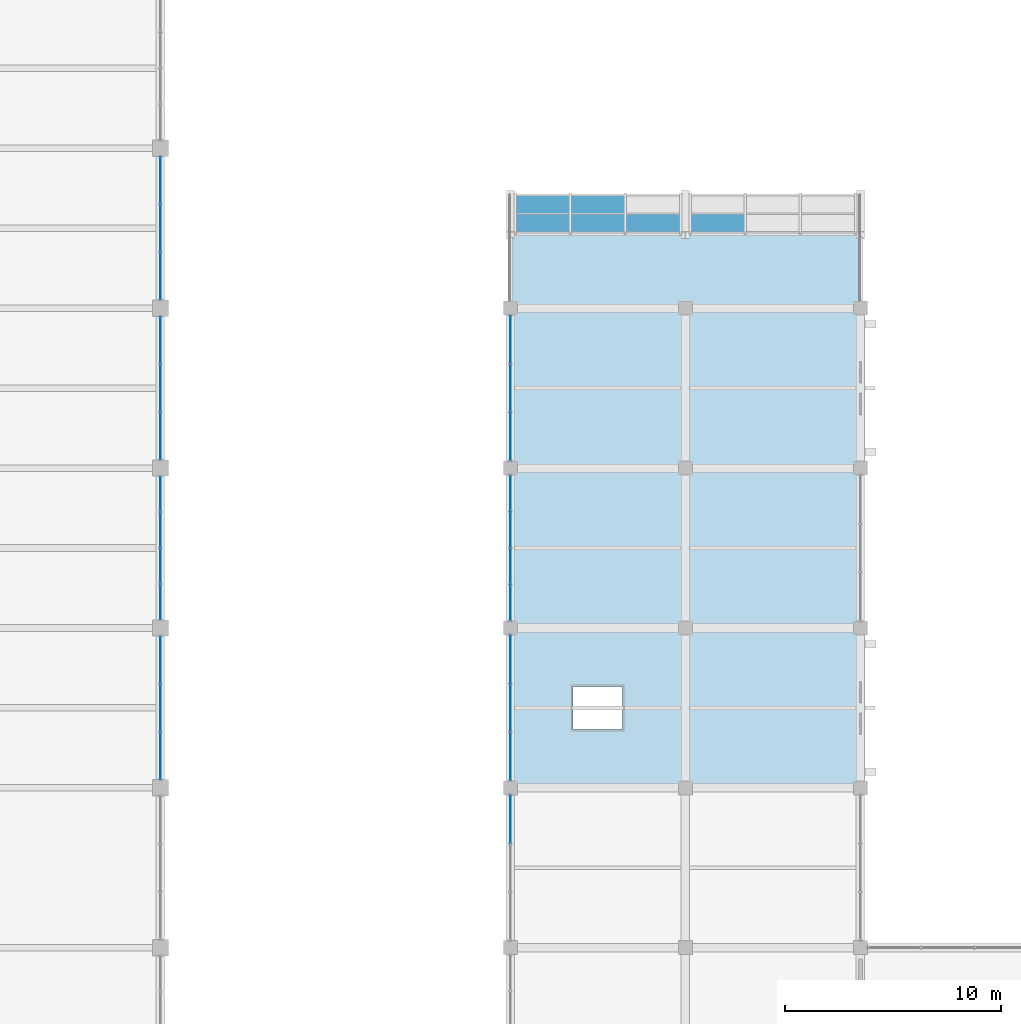
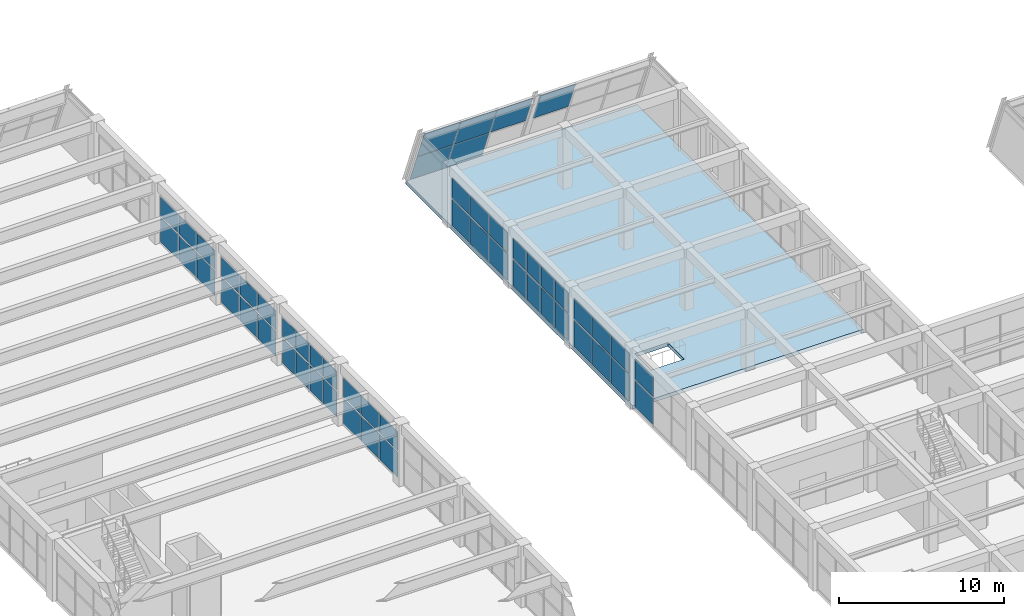
# One storey, part 138 of 161: 54 plates, 1 slab, 10 elements without a shape of their own.
"""IFC4 building model written with IfcOpenShell, lengths in metres."""

from ifc_helpers import new_model, si_unit, direction, frame, origin, origin_2d, place, context, subcontext, project, spatial, polyline, rectangle, outline, extrude, material, layer, layer_set, type_object, element, aggregate, save


model = new_model("IFC4")

# Units and contexts
model_context = context("Model", 3, precision=1e-05, world=origin(), true_north=direction((0.0, 1.0)))
body_context = subcontext(model_context, "Body", "Model", "MODEL_VIEW")
ifc_project = project(units=[si_unit("LENGTHUNIT", "METRE"), si_unit("AREAUNIT", "SQUARE_METRE"), si_unit("VOLUMEUNIT", "CUBIC_METRE"), si_unit("PLANEANGLEUNIT", "RADIAN"), si_unit("MASSUNIT", "GRAM", prefix="KILO")], contexts=[model_context])

# Site, building, storey
site_placement = place(None, origin())
site = spatial("IfcSite", under=ifc_project, at=site_placement, CompositionType="ELEMENT")
building_placement = place(site_placement, origin())
building = spatial("IfcBuilding", under=site, at=building_placement, Name="Cimatlan Art Gallery", CompositionType="ELEMENT")
storey_placement = place(building_placement, frame((0.0, 0.0, 5.39990234375)))
storey = spatial("IfcBuildingStorey", under=building, at=storey_placement, Name="L01", CompositionType="ELEMENT", Elevation=5.39990234375)

# Curtain wall, plates
ifc_material_1 = material(Name="Anodised bronze unitised curtain wall")
curtain_wall_type_1 = type_object("IfcCurtainWallType", Name="CW-V-06642X03607-B4", PredefinedType="NOTDEFINED", material=ifc_material_1)
curtain_wall_1_placement = place(storey_placement, origin())
curtain_wall_1 = element("IfcCurtainWall", 1, at=curtain_wall_1_placement, inside=storey, type_object=curtain_wall_type_1, Name="CW-L01-11-10-E", PredefinedType="NOTDEFINED")
ifc_material_2 = material(Name="Low-E insulated double glazing", Category="glass")
ifc_layer_1 = layer(ifc_material_2, 0.028076171875)
ifc_layer_set_1 = layer_set([ifc_layer_1], Name="Low-E insulated double glazing")
plate_type_1 = type_object("IfcPlateType", Name="PNL-1603X1403", PredefinedType="CURTAIN_PANEL", material=ifc_layer_set_1)
plate_1_placement = place(storey_placement, frame((99.199951171875, 81.890869140625, 2.08203125), z_axis=(0.0, 0.0, 1.0), x_axis=(0.0, -1.0, 0.0)))
plate_1 = element("IfcPlate", 2, at=plate_1_placement, type_object=plate_type_1, Name="CW-L01-11-10-E-P12", PredefinedType="CURTAIN_PANEL", context=body_context, shape_type="SweptSolid", body=[
    extrude(rectangle(XDim=1.60302734375, YDim=0.028076171875, at=origin_2d()), origin(), (0.0, 0.0, 1.0), 1.403076171875),
])
plate_2_placement = place(storey_placement, frame((99.199951171875, 80.230224609375, 2.08203125), z_axis=(0.0, 0.0, 1.0), x_axis=(0.0, -1.0, 0.0)))
plate_2 = element("IfcPlate", 3, at=plate_2_placement, type_object=plate_type_1, Name="CW-L01-11-10-E-P22", PredefinedType="CURTAIN_PANEL", context=body_context, shape_type="SweptSolid", body=[
    extrude(rectangle(XDim=1.60302734375, YDim=0.028076171875, at=origin_2d()), origin(), (0.0, 0.0, 1.0), 1.403076171875),
])
plate_3_placement = place(storey_placement, frame((99.199951171875, 78.56982421875, 2.08203125), z_axis=(0.0, 0.0, 1.0), x_axis=(0.0, -1.0, 0.0)))
plate_3 = element("IfcPlate", 4, at=plate_3_placement, type_object=plate_type_1, Name="CW-L01-11-10-E-P32", PredefinedType="CURTAIN_PANEL", context=body_context, shape_type="SweptSolid", body=[
    extrude(rectangle(XDim=1.60302734375, YDim=0.028076171875, at=origin_2d()), origin(), (0.0, 0.0, 1.0), 1.403076171875),
])
plate_4_placement = place(storey_placement, frame((99.199951171875, 76.9091796875, 2.08203125), z_axis=(0.0, 0.0, 1.0), x_axis=(0.0, -1.0, 0.0)))
plate_4 = element("IfcPlate", 5, at=plate_4_placement, type_object=plate_type_1, Name="CW-L01-11-10-E-P42", PredefinedType="CURTAIN_PANEL", context=body_context, shape_type="SweptSolid", body=[
    extrude(rectangle(XDim=1.60302734375, YDim=0.028076171875, at=origin_2d()), origin(), (0.0, 0.0, 1.0), 1.403076171875),
])
ifc_layer_2 = layer(ifc_material_2, 0.028076171875)
ifc_layer_set_2 = layer_set([ifc_layer_2], Name="Low-E insulated double glazing")
plate_type_2 = type_object("IfcPlateType", Name="PNL-1603X1836", PredefinedType="CURTAIN_PANEL", material=ifc_layer_set_2)
plate_5_placement = place(storey_placement, frame((99.199951171875, 81.890869140625, 0.1220703125), z_axis=(0.0, 0.0, 1.0), x_axis=(0.0, -1.0, 0.0)))
plate_5 = element("IfcPlate", 6, at=plate_5_placement, type_object=plate_type_2, Name="CW-L01-11-10-E-P11", PredefinedType="CURTAIN_PANEL", context=body_context, shape_type="SweptSolid", body=[
    extrude(rectangle(XDim=1.60302734375, YDim=0.028076171875, at=origin_2d()), origin(), (0.0, 0.0, 1.0), 1.8359375),
])
plate_6_placement = place(storey_placement, frame((99.199951171875, 80.230224609375, 0.1220703125), z_axis=(0.0, 0.0, 1.0), x_axis=(0.0, -1.0, 0.0)))
plate_6 = element("IfcPlate", 7, at=plate_6_placement, type_object=plate_type_2, Name="CW-L01-11-10-E-P21", PredefinedType="CURTAIN_PANEL", context=body_context, shape_type="SweptSolid", body=[
    extrude(rectangle(XDim=1.60302734375, YDim=0.028076171875, at=origin_2d()), origin(), (0.0, 0.0, 1.0), 1.8359375),
])
plate_7_placement = place(storey_placement, frame((99.199951171875, 78.56982421875, 0.1220703125), z_axis=(0.0, 0.0, 1.0), x_axis=(0.0, -1.0, 0.0)))
plate_7 = element("IfcPlate", 8, at=plate_7_placement, type_object=plate_type_2, Name="CW-L01-11-10-E-P31", PredefinedType="CURTAIN_PANEL", context=body_context, shape_type="SweptSolid", body=[
    extrude(rectangle(XDim=1.60302734375, YDim=0.028076171875, at=origin_2d()), origin(), (0.0, 0.0, 1.0), 1.8359375),
])
plate_8_placement = place(storey_placement, frame((99.199951171875, 76.9091796875, 0.1220703125), z_axis=(0.0, 0.0, 1.0), x_axis=(0.0, -1.0, 0.0)))
plate_8 = element("IfcPlate", 9, at=plate_8_placement, type_object=plate_type_2, Name="CW-L01-11-10-E-P41", PredefinedType="CURTAIN_PANEL", context=body_context, shape_type="SweptSolid", body=[
    extrude(rectangle(XDim=1.60302734375, YDim=0.028076171875, at=origin_2d()), origin(), (0.0, 0.0, 1.0), 1.8359375),
])
aggregate(curtain_wall_1, [plate_5, plate_1, plate_6, plate_2, plate_7, plate_3, plate_8, plate_4])

curtain_wall_type_2 = type_object("IfcCurtainWallType", Name="CW-V-06742X03785-B4", PredefinedType="NOTDEFINED", material=ifc_material_1)
curtain_wall_2_placement = place(storey_placement, origin())
curtain_wall_2 = element("IfcCurtainWall", 10, at=curtain_wall_2_placement, inside=storey, type_object=curtain_wall_type_2, Name="CW-L01-14-10-W", PredefinedType="NOTDEFINED")
ifc_layer_3 = layer(ifc_material_2, 0.028076171875)
ifc_layer_set_3 = layer_set([ifc_layer_3], Name="Low-E insulated double glazing")
plate_type_3 = type_object("IfcPlateType", Name="PNL-1627X1481", PredefinedType="CURTAIN_PANEL", material=ifc_layer_set_3)
plate_9_placement = place(storey_placement, frame((115.39990234375, 76.871826171875, 2.181884765625), z_axis=(0.0, 0.0, 1.0), x_axis=(0.0, 1.0, 0.0)))
plate_9 = element("IfcPlate", 11, at=plate_9_placement, type_object=plate_type_3, Name="CW-L01-14-10-W-P12", PredefinedType="CURTAIN_PANEL", context=body_context, shape_type="SweptSolid", body=[
    extrude(rectangle(XDim=1.626953125, YDim=0.028076171875, at=origin_2d()), origin(), (0.0, 0.0, 1.0), 1.48095703125),
])
plate_10_placement = place(storey_placement, frame((115.39990234375, 78.55712890625, 2.181884765625), z_axis=(0.0, 0.0, 1.0), x_axis=(0.0, 1.0, 0.0)))
plate_10 = element("IfcPlate", 12, at=plate_10_placement, type_object=plate_type_3, Name="CW-L01-14-10-W-P22", PredefinedType="CURTAIN_PANEL", context=body_context, shape_type="SweptSolid", body=[
    extrude(rectangle(XDim=1.626953125, YDim=0.028076171875, at=origin_2d()), origin(), (0.0, 0.0, 1.0), 1.48095703125),
])
plate_11_placement = place(storey_placement, frame((115.39990234375, 80.24267578125, 2.181884765625), z_axis=(0.0, 0.0, 1.0), x_axis=(0.0, 1.0, 0.0)))
plate_11 = element("IfcPlate", 13, at=plate_11_placement, type_object=plate_type_3, Name="CW-L01-14-10-W-P32", PredefinedType="CURTAIN_PANEL", context=body_context, shape_type="SweptSolid", body=[
    extrude(rectangle(XDim=1.626953125, YDim=0.028076171875, at=origin_2d()), origin(), (0.0, 0.0, 1.0), 1.48095703125),
])
plate_12_placement = place(storey_placement, frame((115.39990234375, 81.92822265625, 2.181884765625), z_axis=(0.0, 0.0, 1.0), x_axis=(0.0, 1.0, 0.0)))
plate_12 = element("IfcPlate", 14, at=plate_12_placement, type_object=plate_type_3, Name="CW-L01-14-10-W-P42", PredefinedType="CURTAIN_PANEL", context=body_context, shape_type="SweptSolid", body=[
    extrude(rectangle(XDim=1.626953125, YDim=0.028076171875, at=origin_2d()), origin(), (0.0, 0.0, 1.0), 1.48095703125),
])
ifc_layer_4 = layer(ifc_material_2, 0.028076171875)
ifc_layer_set_4 = layer_set([ifc_layer_4], Name="Low-E insulated double glazing")
plate_type_4 = type_object("IfcPlateType", Name="PNL-1627X1936", PredefinedType="CURTAIN_PANEL", material=ifc_layer_set_4)
plate_13_placement = place(storey_placement, frame((115.39990234375, 76.871826171875, 0.121826171875), z_axis=(0.0, 0.0, 1.0), x_axis=(0.0, 1.0, 0.0)))
plate_13 = element("IfcPlate", 15, at=plate_13_placement, type_object=plate_type_4, Name="CW-L01-14-10-W-P11", PredefinedType="CURTAIN_PANEL", context=body_context, shape_type="SweptSolid", body=[
    extrude(rectangle(XDim=1.626953125, YDim=0.028076171875, at=origin_2d()), origin(), (0.0, 0.0, 1.0), 1.93603515625),
])
plate_14_placement = place(storey_placement, frame((115.39990234375, 78.55712890625, 0.121826171875), z_axis=(0.0, 0.0, 1.0), x_axis=(0.0, 1.0, 0.0)))
plate_14 = element("IfcPlate", 16, at=plate_14_placement, type_object=plate_type_4, Name="CW-L01-14-10-W-P21", PredefinedType="CURTAIN_PANEL", context=body_context, shape_type="SweptSolid", body=[
    extrude(rectangle(XDim=1.626953125, YDim=0.028076171875, at=origin_2d()), origin(), (0.0, 0.0, 1.0), 1.93603515625),
])
plate_15_placement = place(storey_placement, frame((115.39990234375, 80.24267578125, 0.121826171875), z_axis=(0.0, 0.0, 1.0), x_axis=(0.0, 1.0, 0.0)))
plate_15 = element("IfcPlate", 17, at=plate_15_placement, type_object=plate_type_4, Name="CW-L01-14-10-W-P31", PredefinedType="CURTAIN_PANEL", context=body_context, shape_type="SweptSolid", body=[
    extrude(rectangle(XDim=1.626953125, YDim=0.028076171875, at=origin_2d()), origin(), (0.0, 0.0, 1.0), 1.93603515625),
])
plate_16_placement = place(storey_placement, frame((115.39990234375, 81.92822265625, 0.121826171875), z_axis=(0.0, 0.0, 1.0), x_axis=(0.0, 1.0, 0.0)))
plate_16 = element("IfcPlate", 18, at=plate_16_placement, type_object=plate_type_4, Name="CW-L01-14-10-W-P41", PredefinedType="CURTAIN_PANEL", context=body_context, shape_type="SweptSolid", body=[
    extrude(rectangle(XDim=1.626953125, YDim=0.028076171875, at=origin_2d()), origin(), (0.0, 0.0, 1.0), 1.93603515625),
])
aggregate(curtain_wall_2, [plate_13, plate_9, plate_14, plate_10, plate_15, plate_11, plate_16, plate_12])

curtain_wall_type_3 = type_object("IfcCurtainWallType", Name="CW-V-06642X03577-B3", PredefinedType="NOTDEFINED", material=ifc_material_1)
curtain_wall_3_placement = place(storey_placement, origin())
curtain_wall_3 = element("IfcCurtainWall", 19, at=curtain_wall_3_placement, inside=storey, type_object=curtain_wall_type_3, Name="CW-L01-11-12-E", PredefinedType="NOTDEFINED")
ifc_layer_5 = layer(ifc_material_2, 0.028076171875)
ifc_layer_set_5 = layer_set([ifc_layer_5], Name="Low-E insulated double glazing")
plate_type_5 = type_object("IfcPlateType", Name="PNL-2156X1390", PredefinedType="CURTAIN_PANEL", material=ifc_layer_set_5)
plate_17_placement = place(storey_placement, frame((99.199951171875, 96.4140625, 2.0654296875), z_axis=(0.0, 0.0, 1.0), x_axis=(0.0, -1.0, 0.0)))
plate_17 = element("IfcPlate", 20, at=plate_17_placement, type_object=plate_type_5, Name="CW-L01-11-12-E-P12", PredefinedType="CURTAIN_PANEL", context=body_context, shape_type="SweptSolid", body=[
    extrude(rectangle(XDim=2.156005859375, YDim=0.028076171875, at=origin_2d()), origin(), (0.0, 0.0, 1.0), 1.389892578125),
])
plate_18_placement = place(storey_placement, frame((99.199951171875, 94.199951171875, 2.0654296875), z_axis=(0.0, 0.0, 1.0), x_axis=(0.0, -1.0, 0.0)))
plate_18 = element("IfcPlate", 21, at=plate_18_placement, type_object=plate_type_5, Name="CW-L01-11-12-E-P22", PredefinedType="CURTAIN_PANEL", context=body_context, shape_type="SweptSolid", body=[
    extrude(rectangle(XDim=2.156005859375, YDim=0.028076171875, at=origin_2d()), origin(), (0.0, 0.0, 1.0), 1.389892578125),
])
plate_19_placement = place(storey_placement, frame((99.199951171875, 91.986083984375, 2.0654296875), z_axis=(0.0, 0.0, 1.0), x_axis=(0.0, -1.0, 0.0)))
plate_19 = element("IfcPlate", 22, at=plate_19_placement, type_object=plate_type_5, Name="CW-L01-11-12-E-P32", PredefinedType="CURTAIN_PANEL", context=body_context, shape_type="SweptSolid", body=[
    extrude(rectangle(XDim=2.156005859375, YDim=0.028076171875, at=origin_2d()), origin(), (0.0, 0.0, 1.0), 1.389892578125),
])

curtain_wall_type_4 = type_object("IfcCurtainWallType", Name="CW-V-06642X03592-B3", PredefinedType="NOTDEFINED", material=ifc_material_1)
curtain_wall_4_placement = place(storey_placement, origin())
curtain_wall_4 = element("IfcCurtainWall", 23, at=curtain_wall_4_placement, inside=storey, type_object=curtain_wall_type_4, Name="CW-L01-11-11-E", PredefinedType="NOTDEFINED")
ifc_layer_6 = layer(ifc_material_2, 0.028076171875)
ifc_layer_set_6 = layer_set([ifc_layer_6], Name="Low-E insulated double glazing")
plate_type_6 = type_object("IfcPlateType", Name="PNL-2156X1397", PredefinedType="CURTAIN_PANEL", material=ifc_layer_set_6)
plate_20_placement = place(storey_placement, frame((99.199951171875, 89.013916015625, 2.0732421875), z_axis=(0.0, 0.0, 1.0), x_axis=(0.0, -1.0, 0.0)))
plate_20 = element("IfcPlate", 24, at=plate_20_placement, type_object=plate_type_6, Name="CW-L01-11-11-E-P12", PredefinedType="CURTAIN_PANEL", context=body_context, shape_type="SweptSolid", body=[
    extrude(rectangle(XDim=2.156005859375, YDim=0.028076171875, at=origin_2d()), origin(), (0.0, 0.0, 1.0), 1.39697265625),
])
plate_21_placement = place(storey_placement, frame((99.199951171875, 86.800048828125, 2.0732421875), z_axis=(0.0, 0.0, 1.0), x_axis=(0.0, -1.0, 0.0)))
plate_21 = element("IfcPlate", 25, at=plate_21_placement, type_object=plate_type_6, Name="CW-L01-11-11-E-P22", PredefinedType="CURTAIN_PANEL", context=body_context, shape_type="SweptSolid", body=[
    extrude(rectangle(XDim=2.156005859375, YDim=0.028076171875, at=origin_2d()), origin(), (0.0, 0.0, 1.0), 1.39697265625),
])
plate_22_placement = place(storey_placement, frame((99.199951171875, 84.5859375, 2.0732421875), z_axis=(0.0, 0.0, 1.0), x_axis=(0.0, -1.0, 0.0)))
plate_22 = element("IfcPlate", 26, at=plate_22_placement, type_object=plate_type_6, Name="CW-L01-11-11-E-P32", PredefinedType="CURTAIN_PANEL", context=body_context, shape_type="SweptSolid", body=[
    extrude(rectangle(XDim=2.156005859375, YDim=0.028076171875, at=origin_2d()), origin(), (0.0, 0.0, 1.0), 1.39697265625),
])

curtain_wall_type_5 = type_object("IfcCurtainWallType", Name="CW-V-06642X03622-B3", PredefinedType="NOTDEFINED", material=ifc_material_1)
curtain_wall_5_placement = place(storey_placement, origin())
curtain_wall_5 = element("IfcCurtainWall", 27, at=curtain_wall_5_placement, inside=storey, type_object=curtain_wall_type_5, Name="CW-L01-11-09-E", PredefinedType="NOTDEFINED")
ifc_layer_7 = layer(ifc_material_2, 0.028076171875)
ifc_layer_set_7 = layer_set([ifc_layer_7], Name="Low-E insulated double glazing")
plate_type_7 = type_object("IfcPlateType", Name="PNL-2156X1410", PredefinedType="CURTAIN_PANEL", material=ifc_layer_set_7)
plate_23_placement = place(storey_placement, frame((99.199951171875, 74.214111328125, 2.09033203125), z_axis=(0.0, 0.0, 1.0), x_axis=(0.0, -1.0, 0.0)))
plate_23 = element("IfcPlate", 28, at=plate_23_placement, type_object=plate_type_7, Name="CW-L01-11-09-E-P12", PredefinedType="CURTAIN_PANEL", context=body_context, shape_type="SweptSolid", body=[
    extrude(rectangle(XDim=2.156005859375, YDim=0.028076171875, at=origin_2d()), origin(), (0.0, 0.0, 1.0), 1.409912109375),
])
plate_24_placement = place(storey_placement, frame((99.199951171875, 72.0, 2.09033203125), z_axis=(0.0, 0.0, 1.0), x_axis=(0.0, -1.0, 0.0)))
plate_24 = element("IfcPlate", 29, at=plate_24_placement, type_object=plate_type_7, Name="CW-L01-11-09-E-P22", PredefinedType="CURTAIN_PANEL", context=body_context, shape_type="SweptSolid", body=[
    extrude(rectangle(XDim=2.156005859375, YDim=0.028076171875, at=origin_2d()), origin(), (0.0, 0.0, 1.0), 1.409912109375),
])
plate_25_placement = place(storey_placement, frame((99.199951171875, 69.785888671875, 2.09033203125), z_axis=(0.0, 0.0, 1.0), x_axis=(0.0, -1.0, 0.0)))
plate_25 = element("IfcPlate", 30, at=plate_25_placement, type_object=plate_type_7, Name="CW-L01-11-09-E-P32", PredefinedType="CURTAIN_PANEL", context=body_context, shape_type="SweptSolid", body=[
    extrude(rectangle(XDim=2.156005859375, YDim=0.028076171875, at=origin_2d()), origin(), (0.0, 0.0, 1.0), 1.409912109375),
])

# Plate
ifc_layer_8 = layer(ifc_material_2, 0.028076171875)
ifc_layer_set_8 = layer_set([ifc_layer_8], Name="Low-E insulated double glazing")
plate_type_8 = type_object("IfcPlateType", Name="PNL-2156X1819", PredefinedType="CURTAIN_PANEL", material=ifc_layer_set_8)
plate_26_placement = place(storey_placement, frame((99.199951171875, 96.4140625, 0.1220703125), z_axis=(0.0, 0.0, 1.0), x_axis=(0.0, -1.0, 0.0)))
plate_26 = element("IfcPlate", 31, at=plate_26_placement, type_object=plate_type_8, Name="CW-L01-11-12-E-P11", PredefinedType="CURTAIN_PANEL", context=body_context, shape_type="SweptSolid", body=[
    extrude(rectangle(XDim=2.156005859375, YDim=0.028076171875, at=origin_2d()), origin(), (0.0, 0.0, 1.0), 1.819091796875),
])

plate_27_placement = place(storey_placement, frame((99.199951171875, 94.199951171875, 0.1220703125), z_axis=(0.0, 0.0, 1.0), x_axis=(0.0, -1.0, 0.0)))
plate_27 = element("IfcPlate", 32, at=plate_27_placement, type_object=plate_type_8, Name="CW-L01-11-12-E-P21", PredefinedType="CURTAIN_PANEL", context=body_context, shape_type="SweptSolid", body=[
    extrude(rectangle(XDim=2.156005859375, YDim=0.028076171875, at=origin_2d()), origin(), (0.0, 0.0, 1.0), 1.819091796875),
])

plate_28_placement = place(storey_placement, frame((99.199951171875, 91.986083984375, 0.1220703125), z_axis=(0.0, 0.0, 1.0), x_axis=(0.0, -1.0, 0.0)))
plate_28 = element("IfcPlate", 33, at=plate_28_placement, type_object=plate_type_8, Name="CW-L01-11-12-E-P31", PredefinedType="CURTAIN_PANEL", context=body_context, shape_type="SweptSolid", body=[
    extrude(rectangle(XDim=2.156005859375, YDim=0.028076171875, at=origin_2d()), origin(), (0.0, 0.0, 1.0), 1.819091796875),
])

aggregate(curtain_wall_3, [plate_26, plate_17, plate_27, plate_18, plate_28, plate_19])

ifc_layer_9 = layer(ifc_material_2, 0.028076171875)
ifc_layer_set_9 = layer_set([ifc_layer_9], Name="Low-E insulated double glazing")
plate_type_9 = type_object("IfcPlateType", Name="PNL-2156X1827", PredefinedType="CURTAIN_PANEL", material=ifc_layer_set_9)
plate_29_placement = place(storey_placement, frame((99.199951171875, 89.013916015625, 0.12255859375), z_axis=(0.0, 0.0, 1.0), x_axis=(0.0, -1.0, 0.0)))
plate_29 = element("IfcPlate", 34, at=plate_29_placement, type_object=plate_type_9, Name="CW-L01-11-11-E-P11", PredefinedType="CURTAIN_PANEL", context=body_context, shape_type="SweptSolid", body=[
    extrude(rectangle(XDim=2.156005859375, YDim=0.028076171875, at=origin_2d()), origin(), (0.0, 0.0, 1.0), 1.826904296875),
])

plate_30_placement = place(storey_placement, frame((99.199951171875, 86.800048828125, 0.12255859375), z_axis=(0.0, 0.0, 1.0), x_axis=(0.0, -1.0, 0.0)))
plate_30 = element("IfcPlate", 35, at=plate_30_placement, type_object=plate_type_9, Name="CW-L01-11-11-E-P21", PredefinedType="CURTAIN_PANEL", context=body_context, shape_type="SweptSolid", body=[
    extrude(rectangle(XDim=2.156005859375, YDim=0.028076171875, at=origin_2d()), origin(), (0.0, 0.0, 1.0), 1.826904296875),
])

plate_31_placement = place(storey_placement, frame((99.199951171875, 84.5859375, 0.12255859375), z_axis=(0.0, 0.0, 1.0), x_axis=(0.0, -1.0, 0.0)))
plate_31 = element("IfcPlate", 36, at=plate_31_placement, type_object=plate_type_9, Name="CW-L01-11-11-E-P31", PredefinedType="CURTAIN_PANEL", context=body_context, shape_type="SweptSolid", body=[
    extrude(rectangle(XDim=2.156005859375, YDim=0.028076171875, at=origin_2d()), origin(), (0.0, 0.0, 1.0), 1.826904296875),
])

aggregate(curtain_wall_4, [plate_29, plate_20, plate_30, plate_21, plate_31, plate_22])

ifc_layer_10 = layer(ifc_material_2, 0.028076171875)
ifc_layer_set_10 = layer_set([ifc_layer_10], Name="Low-E insulated double glazing")
plate_type_10 = type_object("IfcPlateType", Name="PNL-2156X1844", PredefinedType="CURTAIN_PANEL", material=ifc_layer_set_10)
plate_32_placement = place(storey_placement, frame((99.199951171875, 74.214111328125, 0.1220703125), z_axis=(0.0, 0.0, 1.0), x_axis=(0.0, -1.0, 0.0)))
plate_32 = element("IfcPlate", 37, at=plate_32_placement, type_object=plate_type_10, Name="CW-L01-11-09-E-P11", PredefinedType="CURTAIN_PANEL", context=body_context, shape_type="SweptSolid", body=[
    extrude(rectangle(XDim=2.156005859375, YDim=0.028076171875, at=origin_2d()), origin(), (0.0, 0.0, 1.0), 1.843994140625),
])

plate_33_placement = place(storey_placement, frame((99.199951171875, 72.0, 0.1220703125), z_axis=(0.0, 0.0, 1.0), x_axis=(0.0, -1.0, 0.0)))
plate_33 = element("IfcPlate", 38, at=plate_33_placement, type_object=plate_type_10, Name="CW-L01-11-09-E-P21", PredefinedType="CURTAIN_PANEL", context=body_context, shape_type="SweptSolid", body=[
    extrude(rectangle(XDim=2.156005859375, YDim=0.028076171875, at=origin_2d()), origin(), (0.0, 0.0, 1.0), 1.843994140625),
])

plate_34_placement = place(storey_placement, frame((99.199951171875, 69.785888671875, 0.1220703125), z_axis=(0.0, 0.0, 1.0), x_axis=(0.0, -1.0, 0.0)))
plate_34 = element("IfcPlate", 39, at=plate_34_placement, type_object=plate_type_10, Name="CW-L01-11-09-E-P31", PredefinedType="CURTAIN_PANEL", context=body_context, shape_type="SweptSolid", body=[
    extrude(rectangle(XDim=2.156005859375, YDim=0.028076171875, at=origin_2d()), origin(), (0.0, 0.0, 1.0), 1.843994140625),
])

aggregate(curtain_wall_5, [plate_32, plate_23, plate_33, plate_24, plate_34, plate_25])

# Curtain wall, plates
curtain_wall_type_6 = type_object("IfcCurtainWallType", Name="CW-V-06742X03770-B3", PredefinedType="NOTDEFINED", material=ifc_material_1)
curtain_wall_6_placement = place(storey_placement, origin())
curtain_wall_6 = element("IfcCurtainWall", 40, at=curtain_wall_6_placement, inside=storey, type_object=curtain_wall_type_6, Name="CW-L01-14-11-W", PredefinedType="NOTDEFINED")
ifc_layer_11 = layer(ifc_material_2, 0.028076171875)
ifc_layer_set_11 = layer_set([ifc_layer_11], Name="Low-E insulated double glazing")
plate_type_11 = type_object("IfcPlateType", Name="PNL-2189X1475", PredefinedType="CURTAIN_PANEL", material=ifc_layer_set_11)
plate_35_placement = place(storey_placement, frame((115.39990234375, 84.552734375, 2.173095703125), z_axis=(0.0, 0.0, 1.0), x_axis=(0.0, 1.0, 0.0)))
plate_35 = element("IfcPlate", 41, at=plate_35_placement, type_object=plate_type_11, Name="CW-L01-14-11-W-P12", PredefinedType="CURTAIN_PANEL", context=body_context, shape_type="SweptSolid", body=[
    extrude(rectangle(XDim=2.18896484375, YDim=0.028076171875, at=origin_2d()), origin(), (0.0, 0.0, 1.0), 1.47509765625),
])
plate_36_placement = place(storey_placement, frame((115.39990234375, 86.800048828125, 2.173095703125), z_axis=(0.0, 0.0, 1.0), x_axis=(0.0, 1.0, 0.0)))
plate_36 = element("IfcPlate", 42, at=plate_36_placement, type_object=plate_type_11, Name="CW-L01-14-11-W-P22", PredefinedType="CURTAIN_PANEL", context=body_context, shape_type="SweptSolid", body=[
    extrude(rectangle(XDim=2.18896484375, YDim=0.028076171875, at=origin_2d()), origin(), (0.0, 0.0, 1.0), 1.47509765625),
])
plate_37_placement = place(storey_placement, frame((115.39990234375, 89.04736328125, 2.173095703125), z_axis=(0.0, 0.0, 1.0), x_axis=(0.0, 1.0, 0.0)))
plate_37 = element("IfcPlate", 43, at=plate_37_placement, type_object=plate_type_11, Name="CW-L01-14-11-W-P32", PredefinedType="CURTAIN_PANEL", context=body_context, shape_type="SweptSolid", body=[
    extrude(rectangle(XDim=2.18896484375, YDim=0.028076171875, at=origin_2d()), origin(), (0.0, 0.0, 1.0), 1.47509765625),
])

curtain_wall_type_7 = type_object("IfcCurtainWallType", Name="CW-V-06742X03800-B3", PredefinedType="NOTDEFINED", material=ifc_material_1)
curtain_wall_7_placement = place(storey_placement, origin())
curtain_wall_7 = element("IfcCurtainWall", 44, at=curtain_wall_7_placement, inside=storey, type_object=curtain_wall_type_7, Name="CW-L01-14-09-W", PredefinedType="NOTDEFINED")
ifc_layer_12 = layer(ifc_material_2, 0.028076171875)
ifc_layer_set_12 = layer_set([ifc_layer_12], Name="Low-E insulated double glazing")
plate_type_12 = type_object("IfcPlateType", Name="PNL-2189X1488", PredefinedType="CURTAIN_PANEL", material=ifc_layer_set_12)
plate_38_placement = place(storey_placement, frame((115.39990234375, 69.752685546875, 2.18994140625), z_axis=(0.0, 0.0, 1.0), x_axis=(0.0, 1.0, 0.0)))
plate_38 = element("IfcPlate", 45, at=plate_38_placement, type_object=plate_type_12, Name="CW-L01-14-09-W-P12", PredefinedType="CURTAIN_PANEL", context=body_context, shape_type="SweptSolid", body=[
    extrude(rectangle(XDim=2.18896484375, YDim=0.028076171875, at=origin_2d()), origin(), (0.0, 0.0, 1.0), 1.488037109375),
])
plate_39_placement = place(storey_placement, frame((115.39990234375, 72.0, 2.18994140625), z_axis=(0.0, 0.0, 1.0), x_axis=(0.0, 1.0, 0.0)))
plate_39 = element("IfcPlate", 46, at=plate_39_placement, type_object=plate_type_12, Name="CW-L01-14-09-W-P22", PredefinedType="CURTAIN_PANEL", context=body_context, shape_type="SweptSolid", body=[
    extrude(rectangle(XDim=2.18896484375, YDim=0.028076171875, at=origin_2d()), origin(), (0.0, 0.0, 1.0), 1.488037109375),
])
plate_40_placement = place(storey_placement, frame((115.39990234375, 74.247314453125, 2.18994140625), z_axis=(0.0, 0.0, 1.0), x_axis=(0.0, 1.0, 0.0)))
plate_40 = element("IfcPlate", 47, at=plate_40_placement, type_object=plate_type_12, Name="CW-L01-14-09-W-P32", PredefinedType="CURTAIN_PANEL", context=body_context, shape_type="SweptSolid", body=[
    extrude(rectangle(XDim=2.18896484375, YDim=0.028076171875, at=origin_2d()), origin(), (0.0, 0.0, 1.0), 1.488037109375),
])

# Curtain wall, plate
curtain_wall_type_8 = type_object("IfcCurtainWallType", Name="CW-V-06742X03815-B3", PredefinedType="NOTDEFINED", material=ifc_material_1)
curtain_wall_8_placement = place(storey_placement, origin())
curtain_wall_8 = element("IfcCurtainWall", 48, at=curtain_wall_8_placement, inside=storey, type_object=curtain_wall_type_8, Name="CW-L01-14-08-W", PredefinedType="NOTDEFINED")
ifc_layer_13 = layer(ifc_material_2, 0.028076171875)
ifc_layer_set_13 = layer_set([ifc_layer_13], Name="Low-E insulated double glazing")
plate_type_13 = type_object("IfcPlateType", Name="PNL-2189X1495", PredefinedType="CURTAIN_PANEL", material=ifc_layer_set_13)
plate_41_placement = place(storey_placement, frame((115.39990234375, 66.847412109375, 2.1982421875), z_axis=(0.0, 0.0, 1.0), x_axis=(0.0, 1.0, 0.0)))
plate_41 = element("IfcPlate", 49, at=plate_41_placement, type_object=plate_type_13, Name="CW-L01-14-08-W-P32", PredefinedType="CURTAIN_PANEL", context=body_context, shape_type="SweptSolid", body=[
    extrude(rectangle(XDim=2.18896484375, YDim=0.028076171875, at=origin_2d()), origin(), (0.0, 0.0, 1.0), 1.4951171875),
])

# Plate
ifc_layer_14 = layer(ifc_material_2, 0.028076171875)
ifc_layer_set_14 = layer_set([ifc_layer_14], Name="Low-E insulated double glazing")
plate_type_14 = type_object("IfcPlateType", Name="PNL-2189X1927", PredefinedType="CURTAIN_PANEL", material=ifc_layer_set_14)
plate_42_placement = place(storey_placement, frame((115.39990234375, 84.552734375, 0.1220703125), z_axis=(0.0, 0.0, 1.0), x_axis=(0.0, 1.0, 0.0)))
plate_42 = element("IfcPlate", 50, at=plate_42_placement, type_object=plate_type_14, Name="CW-L01-14-11-W-P11", PredefinedType="CURTAIN_PANEL", context=body_context, shape_type="SweptSolid", body=[
    extrude(rectangle(XDim=2.18896484375, YDim=0.028076171875, at=origin_2d()), origin(), (0.0, 0.0, 1.0), 1.927001953125),
])

plate_43_placement = place(storey_placement, frame((115.39990234375, 86.800048828125, 0.1220703125), z_axis=(0.0, 0.0, 1.0), x_axis=(0.0, 1.0, 0.0)))
plate_43 = element("IfcPlate", 51, at=plate_43_placement, type_object=plate_type_14, Name="CW-L01-14-11-W-P21", PredefinedType="CURTAIN_PANEL", context=body_context, shape_type="SweptSolid", body=[
    extrude(rectangle(XDim=2.18896484375, YDim=0.028076171875, at=origin_2d()), origin(), (0.0, 0.0, 1.0), 1.927001953125),
])

plate_44_placement = place(storey_placement, frame((115.39990234375, 89.04736328125, 0.1220703125), z_axis=(0.0, 0.0, 1.0), x_axis=(0.0, 1.0, 0.0)))
plate_44 = element("IfcPlate", 52, at=plate_44_placement, type_object=plate_type_14, Name="CW-L01-14-11-W-P31", PredefinedType="CURTAIN_PANEL", context=body_context, shape_type="SweptSolid", body=[
    extrude(rectangle(XDim=2.18896484375, YDim=0.028076171875, at=origin_2d()), origin(), (0.0, 0.0, 1.0), 1.927001953125),
])

aggregate(curtain_wall_6, [plate_42, plate_35, plate_43, plate_36, plate_44, plate_37])

ifc_layer_15 = layer(ifc_material_2, 0.028076171875)
ifc_layer_set_15 = layer_set([ifc_layer_15], Name="Low-E insulated double glazing")
plate_type_15 = type_object("IfcPlateType", Name="PNL-2189X1944", PredefinedType="CURTAIN_PANEL", material=ifc_layer_set_15)
plate_45_placement = place(storey_placement, frame((115.39990234375, 69.752685546875, 0.1220703125), z_axis=(0.0, 0.0, 1.0), x_axis=(0.0, 1.0, 0.0)))
plate_45 = element("IfcPlate", 53, at=plate_45_placement, type_object=plate_type_15, Name="CW-L01-14-09-W-P11", PredefinedType="CURTAIN_PANEL", context=body_context, shape_type="SweptSolid", body=[
    extrude(rectangle(XDim=2.18896484375, YDim=0.028076171875, at=origin_2d()), origin(), (0.0, 0.0, 1.0), 1.944091796875),
])

plate_46_placement = place(storey_placement, frame((115.39990234375, 72.0, 0.1220703125), z_axis=(0.0, 0.0, 1.0), x_axis=(0.0, 1.0, 0.0)))
plate_46 = element("IfcPlate", 54, at=plate_46_placement, type_object=plate_type_15, Name="CW-L01-14-09-W-P21", PredefinedType="CURTAIN_PANEL", context=body_context, shape_type="SweptSolid", body=[
    extrude(rectangle(XDim=2.18896484375, YDim=0.028076171875, at=origin_2d()), origin(), (0.0, 0.0, 1.0), 1.944091796875),
])

plate_47_placement = place(storey_placement, frame((115.39990234375, 74.247314453125, 0.1220703125), z_axis=(0.0, 0.0, 1.0), x_axis=(0.0, 1.0, 0.0)))
plate_47 = element("IfcPlate", 55, at=plate_47_placement, type_object=plate_type_15, Name="CW-L01-14-09-W-P31", PredefinedType="CURTAIN_PANEL", context=body_context, shape_type="SweptSolid", body=[
    extrude(rectangle(XDim=2.18896484375, YDim=0.028076171875, at=origin_2d()), origin(), (0.0, 0.0, 1.0), 1.944091796875),
])

aggregate(curtain_wall_7, [plate_45, plate_38, plate_46, plate_39, plate_47, plate_40])

ifc_layer_16 = layer(ifc_material_2, 0.028076171875)
ifc_layer_set_16 = layer_set([ifc_layer_16], Name="Low-E insulated double glazing")
plate_type_16 = type_object("IfcPlateType", Name="PNL-2189X1952", PredefinedType="CURTAIN_PANEL", material=ifc_layer_set_16)
plate_48_placement = place(storey_placement, frame((115.39990234375, 66.847412109375, 0.12255859375), z_axis=(0.0, 0.0, 1.0), x_axis=(0.0, 1.0, 0.0)))
plate_48 = element("IfcPlate", 56, at=plate_48_placement, type_object=plate_type_16, Name="CW-L01-14-08-W-P31", PredefinedType="CURTAIN_PANEL", context=body_context, shape_type="SweptSolid", body=[
    extrude(rectangle(XDim=2.18896484375, YDim=0.028076171875, at=origin_2d()), origin(), (0.0, 0.0, 1.0), 1.951904296875),
])

aggregate(curtain_wall_8, [plate_48, plate_41])

# Curtain wall, plates
ifc_material_3 = material(Name="Raked steel-and-bronze lancet curtain wall", Category="steel")
curtain_wall_type_9 = type_object("IfcCurtainWallType", Name="CW-RAK-07660X04901-B3", PredefinedType="NOTDEFINED", material=ifc_material_3)
curtain_wall_9_placement = place(storey_placement, origin())
curtain_wall_9 = element("IfcCurtainWall", 57, at=curtain_wall_9_placement, inside=storey, type_object=curtain_wall_type_9, Name="CW-PROW-L01-B4-14", PredefinedType="NOTDEFINED")
ifc_material_4 = material(Name="Low-E laminated skylight safety glazing", Category="glass")
ifc_layer_17 = layer(ifc_material_4, 0.031982421875)
ifc_layer_set_17 = layer_set([ifc_layer_17], Name="Low-E laminated skylight safety glazing")
plate_type_17 = type_object("IfcPlateType", Name="PNL-RAK-2513X2352", PredefinedType="CURTAIN_PANEL", material=ifc_layer_set_17)
plate_49_placement = place(storey_placement, frame((115.64013671875, 95.74609375, 0.068603515625), z_axis=(0.0, 0.930396595291, 0.366554464536), x_axis=(1.0, 0.0, 0.0)))
plate_49 = element("IfcPlate", 58, at=plate_49_placement, type_object=plate_type_17, Name="CW-PROW-L01-B4-14-P11", PredefinedType="CURTAIN_PANEL", context=body_context, shape_type="SweptSolid", body=[
    extrude(outline(polyline([(0.0, 0.0), (2.51318359375, 0.0), (2.51318359375, -2.3524599232234475), (0.0, -2.3524599232234475), (0.0, 0.0)])), origin(), (0.0, 0.0, -1.0), 0.031982421875),
])
plate_50_placement = place(storey_placement, frame((115.64013671875, 94.86572265625, 2.302978515625), z_axis=(0.0, 0.930431985876, 0.366464622658), x_axis=(1.0, 0.0, 0.0)))
plate_50 = element("IfcPlate", 59, at=plate_50_placement, type_object=plate_type_17, Name="CW-PROW-L01-B4-14-P12", PredefinedType="CURTAIN_PANEL", context=body_context, shape_type="SweptSolid", body=[
    extrude(outline(polyline([(0.0, 0.0), (2.51318359375, 0.0), (2.51318359375, -2.352370443354196), (0.0, -2.352370443354196), (0.0, 0.0)])), origin(), (0.0, 0.0, -1.0), 0.031982421875),
])
plate_51_placement = place(storey_placement, frame((118.193603515625, 95.74609375, 0.068603515625), z_axis=(0.0, 0.930396595291, 0.366554464536), x_axis=(1.0, 0.0, 0.0)))
plate_51 = element("IfcPlate", 60, at=plate_51_placement, type_object=plate_type_17, Name="CW-PROW-L01-B4-14-P21", PredefinedType="CURTAIN_PANEL", context=body_context, shape_type="SweptSolid", body=[
    extrude(outline(polyline([(0.0, 0.0), (2.512939453125, 0.0), (2.512939453125, -2.352459923223447), (0.0, -2.352459923223447), (0.0, 0.0)])), origin(), (0.0, 0.0, -1.0), 0.031982421875),
])
plate_52_placement = place(storey_placement, frame((118.193603515625, 94.86572265625, 2.302978515625), z_axis=(0.0, 0.930431985876, 0.366464622658), x_axis=(1.0, 0.0, 0.0)))
plate_52 = element("IfcPlate", 61, at=plate_52_placement, type_object=plate_type_17, Name="CW-PROW-L01-B4-14-P22", PredefinedType="CURTAIN_PANEL", context=body_context, shape_type="SweptSolid", body=[
    extrude(outline(polyline([(0.0, 0.0), (2.512939453125, 0.0), (2.512939453125, -2.3523704433541965), (0.0, -2.3523704433541965), (0.0, 0.0)])), origin(), (0.0, 0.0, -1.0), 0.031982421875),
])
plate_53_placement = place(storey_placement, frame((120.746826171875, 94.86572265625, 2.302978515625), z_axis=(0.0, 0.930431985876, 0.366464622658), x_axis=(1.0, 0.0, 0.0)))
plate_53 = element("IfcPlate", 62, at=plate_53_placement, type_object=plate_type_17, Name="CW-PROW-L01-B4-14-P32", PredefinedType="CURTAIN_PANEL", context=body_context, shape_type="SweptSolid", body=[
    extrude(outline(polyline([(0.0, 0.0), (2.512939453125, 0.0), (2.512939453125, -2.3523704433541965), (0.0, -2.3523704433541965), (0.0, 0.0)])), origin(), (0.0, 0.0, -1.0), 0.031982421875),
])
aggregate(curtain_wall_9, [plate_49, plate_50, plate_51, plate_52, plate_53])

# Curtain wall, plate
curtain_wall_10_placement = place(storey_placement, origin())
curtain_wall_10 = element("IfcCurtainWall", 63, at=curtain_wall_10_placement, inside=storey, type_object=curtain_wall_type_9, Name="CW-PROW-L01-B4-15", PredefinedType="NOTDEFINED")
plate_54_placement = place(storey_placement, frame((123.740234375, 94.86572265625, 2.302978515625), z_axis=(0.0, 0.930431985876, 0.366464622658), x_axis=(1.0, 0.0, 0.0)))
plate_54 = element("IfcPlate", 64, at=plate_54_placement, type_object=plate_type_17, Name="CW-PROW-L01-B4-15-P12", PredefinedType="CURTAIN_PANEL", context=body_context, shape_type="SweptSolid", body=[
    extrude(outline(polyline([(0.0, 0.0), (2.512939453125, 0.0), (2.512939453125, -2.3523704433541965), (0.0, -2.3523704433541965), (0.0, 0.0)])), origin(), (0.0, 0.0, -1.0), 0.031982421875),
])
aggregate(curtain_wall_10, [plate_54])

# Slab
ifc_material_5 = material(Name="Concrete C35/45", Category="concrete")
ifc_layer_18 = layer(ifc_material_5, 0.264892578125)
ifc_layer_set_18 = layer_set([ifc_layer_18], Name="Concrete C35/45")
slab_type = type_object("IfcSlabType", Name="SLB-FLR-L01", PredefinedType="FLOOR", material=ifc_layer_set_18)
slab_placement = place(storey_placement, frame((0.0, 0.0, -0.264892578125)))
element("IfcSlab", 65, at=slab_placement, inside=storey, type_object=slab_type, Name="SLB-L01-B4N", PredefinedType="FLOOR", context=body_context, shape_type="SweptSolid", body=[
    extrude(outline(polyline([(115.39990234375, 68.300048828125), (131.60009765625, 68.300048828125), (131.60009765625, 95.77294921875), (115.39990234375, 95.77294921875), (115.39990234375, 68.300048828125)]), holes=[polyline([(118.300048828125, 71.0), (120.60009765625, 71.0), (120.60009765625, 73.0), (118.300048828125, 73.0), (118.300048828125, 71.0)])]), origin(), (0.0, 0.0, 1.0), 0.264892578125),
])

save(model, "model.ifc")
